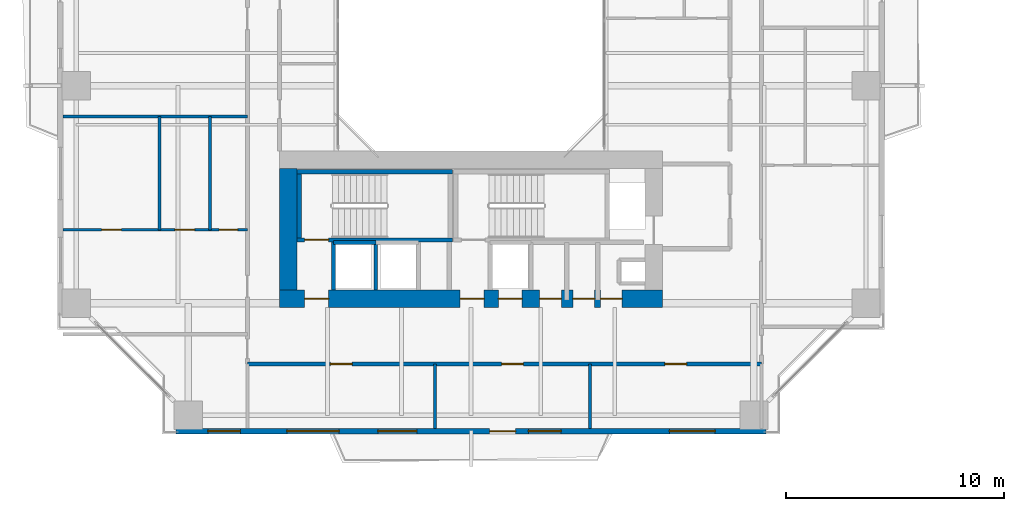
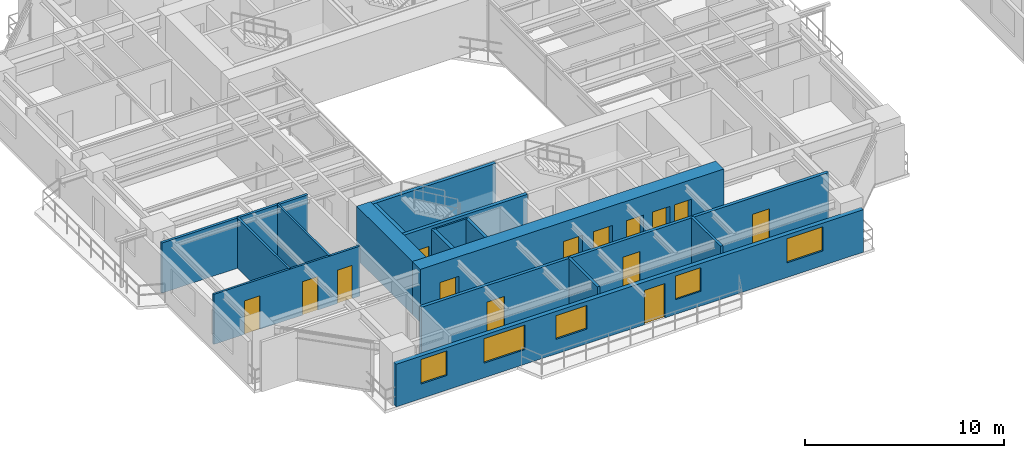
# One storey, part 13 of 23: 16 walls, 14 doors, 5 windows, 19 openings.
"""IFC4 building model written with IfcOpenShell, lengths in metres."""

from ifc_helpers import new_model, si_unit, direction, frame, frame_2d, origin, place, context, subcontext, project, spatial, rectangle, extrude, source, transform, mapped, material, layer, layer_set, type_object, element, fill, save


model = new_model("IFC4")

# Units and contexts
model_context = context("Model", 3, precision=1e-05, world=origin(), true_north=direction((0.0, 1.0)))
body_context = subcontext(model_context, "Body", "Model", "MODEL_VIEW")
ifc_project = project(units=[si_unit("LENGTHUNIT", "METRE"), si_unit("AREAUNIT", "SQUARE_METRE"), si_unit("VOLUMEUNIT", "CUBIC_METRE"), si_unit("PLANEANGLEUNIT", "RADIAN"), si_unit("MASSUNIT", "GRAM", prefix="KILO"), si_unit("THERMODYNAMICTEMPERATUREUNIT", "KELVIN"), si_unit("POWERUNIT", "WATT")], contexts=[model_context])

# Site, building, storey
site_placement = place(None, origin())
site = spatial("IfcSite", under=ifc_project, at=site_placement, CompositionType="ELEMENT")
building_placement = place(site_placement, origin())
building = spatial("IfcBuilding", under=site, at=building_placement, Name="Qiaomeng Ring Towers", CompositionType="ELEMENT")
storey_placement = place(building_placement, frame((0.0, 0.0, 86.0)))
storey = spatial("IfcBuildingStorey", under=building, at=storey_placement, Name="L24", CompositionType="ELEMENT", Elevation=86.0)

# Wall, openings, windows, door
ifc_material_1 = material(Name="Precast concrete C40", Category="concrete")
ifc_layer_1 = layer(ifc_material_1, 0.25, Name="Precast concrete C40")
ifc_layer_set_1 = layer_set([ifc_layer_1], Name="Precast concrete C40")
wall_type_1 = type_object("IfcWallType", Name="ARC-WL-EW1", PredefinedType="STANDARD", material=ifc_layer_set_1)
wall_1_placement = place(storey_placement, frame((5.449951171875, 4.125, 0.0), z_axis=(0.0, 0.0, 1.0), x_axis=(1.0, 0.0, 0.0)))
wall_1 = element("IfcWall", 1, at=wall_1_placement, inside=storey, type_object=wall_type_1, Name="L24 Tower 1 S Exterior Wall", PredefinedType="STANDARD", context=body_context, shape_type="SweptSolid", body=[
    extrude(rectangle(XDim=27.10009765625, YDim=0.25, at=frame_2d((13.550048828125, 0.0))), origin(), (0.0, 0.0, 1.0), 2.610107421875),
])
opening_1_placement = place(wall_1_placement, frame((14.39990234375, 0.0, 0.0)))
opening_1 = element("IfcOpeningElement", 2, at=opening_1_placement, cuts=wall_1, Name="Opening BD1", PredefinedType="OPENING", context=body_context, shape_type="SweptSolid", body=[
    extrude(rectangle(XDim=1.199951171875, YDim=2.10009765625, at=frame_2d((0.60009765625, 1.050048828125))), frame((0.0, 0.135009765625, 0.0), z_axis=(0.0, -1.0, 0.0), x_axis=(1.0, 0.0, 0.0)), (0.0, 0.0, 1.0), 0.27001953125),
])
opening_2_placement = place(wall_1_placement, frame((1.449951171875, 0.0, 0.89990234375)))
opening_2 = element("IfcOpeningElement", 3, at=opening_2_placement, cuts=wall_1, Name="Opening WN2", PredefinedType="OPENING", context=body_context, shape_type="SweptSolid", body=[
    extrude(rectangle(XDim=1.5, YDim=1.5, at=frame_2d((0.75, 0.75))), frame((0.0, 0.135009765625, 0.0), z_axis=(0.0, -1.0, 0.0), x_axis=(1.0, 0.0, 0.0)), (0.0, 0.0, 1.0), 0.27001953125),
])
opening_3_placement = place(wall_1_placement, frame((9.262939453125, 0.0, 0.89990234375)))
opening_3 = element("IfcOpeningElement", 4, at=opening_3_placement, cuts=wall_1, Name="Opening WN1", PredefinedType="OPENING", context=body_context, shape_type="SweptSolid", body=[
    extrude(rectangle(XDim=1.800048828125, YDim=1.449951171875, at=frame_2d((0.89990234375, 0.72509765625))), frame((0.0, 0.135009765625, 0.0), z_axis=(0.0, -1.0, 0.0), x_axis=(1.0, 0.0, 0.0)), (0.0, 0.0, 1.0), 0.27001953125),
])
opening_4_placement = place(wall_1_placement, frame((16.18798828125, 0.0, 0.89990234375)))
opening_4 = element("IfcOpeningElement", 5, at=opening_4_placement, cuts=wall_1, Name="Opening WN2", PredefinedType="OPENING", context=body_context, shape_type="SweptSolid", body=[
    extrude(rectangle(XDim=1.5, YDim=1.449951171875, at=frame_2d((0.75, 0.72509765625))), frame((0.0, 0.135009765625, 0.0), z_axis=(0.0, -1.0, 0.0), x_axis=(1.0, 0.0, 0.0)), (0.0, 0.0, 1.0), 0.27001953125),
])
opening_5_placement = place(wall_1_placement, frame((22.6630859375, 0.0, 0.89990234375)))
opening_5 = element("IfcOpeningElement", 6, at=opening_5_placement, cuts=wall_1, Name="Opening WN4", PredefinedType="OPENING", context=body_context, shape_type="SweptSolid", body=[
    extrude(rectangle(XDim=2.10009765625, YDim=1.47998046875, at=frame_2d((1.050048828125, 0.739990234375))), frame((0.0, 0.135009765625, 0.0), z_axis=(0.0, -1.0, 0.0), x_axis=(1.0, 0.0, 0.0)), (0.0, 0.0, 1.0), 0.27001953125),
])
opening_6_placement = place(wall_1_placement, frame((5.083984375, 0.0, 0.89990234375)))
opening_6 = element("IfcOpeningElement", 7, at=opening_6_placement, cuts=wall_1, Name="Opening WN6", PredefinedType="OPENING", context=body_context, shape_type="SweptSolid", body=[
    extrude(rectangle(XDim=2.39990234375, YDim=1.5, at=frame_2d((1.199951171875, 0.75))), frame((0.0, 0.135009765625, 0.0), z_axis=(0.0, -1.0, 0.0), x_axis=(1.0, 0.0, 0.0)), (0.0, 0.0, 1.0), 0.27001953125),
])
ifc_material_2 = material(Name="Low-E dark-grey laminated double glazing", Category="glass")
window_type_1 = type_object("IfcWindowType", Name="ARC-WN-2", PartitioningType="DOUBLE_PANEL_VERTICAL", PredefinedType="WINDOW", material=ifc_material_2)
shared_shape_1 = source(origin(), body_context, "Body", "SweptSolid", [
    extrude(rectangle(XDim=1.5, YDim=1.449951171875, at=frame_2d((0.75, 0.72509765625))), frame((0.0, 0.030029296875, 0.0), z_axis=(0.0, -1.0, 0.0), x_axis=(1.0, 0.0, 0.0)), (0.0, 0.0, 1.0), 0.06005859375),
])
window_1_placement = place(opening_4_placement, origin())
window_1 = element("IfcWindow", 8, at=window_1_placement, inside=storey, type_object=window_type_1, Name="L24 Exterior Window WN2", OverallHeight=1.449951171875, OverallWidth=1.5, PartitioningType="DOUBLE_PANEL_VERTICAL", PredefinedType="WINDOW", context=body_context, shape_type="MappedRepresentation", body=[
    mapped(shared_shape_1, transform((0.0, 0.0, 0.0), x_axis=(1.0, 0.0, 0.0), y_axis=(0.0, 1.0, 0.0), z_axis=(0.0, 0.0, 1.0), scale=1.0)),
])
fill(opening_4, window_1)
window_type_2 = type_object("IfcWindowType", Name="ARC-WN-4", PartitioningType="TRIPLE_PANEL_VERTICAL", PredefinedType="WINDOW", material=ifc_material_2)
shared_shape_2 = source(origin(), body_context, "Body", "SweptSolid", [
    extrude(rectangle(XDim=2.10009765625, YDim=1.47998046875, at=frame_2d((1.050048828125, 0.739990234375))), frame((0.0, 0.030029296875, 0.0), z_axis=(0.0, -1.0, 0.0), x_axis=(1.0, 0.0, 0.0)), (0.0, 0.0, 1.0), 0.06005859375),
])
window_2_placement = place(opening_5_placement, origin())
window_2 = element("IfcWindow", 9, at=window_2_placement, inside=storey, type_object=window_type_2, Name="L24 Exterior Window WN4", OverallHeight=1.47998046875, OverallWidth=2.10009765625, PartitioningType="TRIPLE_PANEL_VERTICAL", PredefinedType="WINDOW", context=body_context, shape_type="MappedRepresentation", body=[
    mapped(shared_shape_2, transform((0.0, 0.0, 0.0), x_axis=(1.0, 0.0, 0.0), y_axis=(0.0, 1.0, 0.0), z_axis=(0.0, 0.0, 1.0), scale=1.0)),
])
fill(opening_5, window_2)
window_type_3 = type_object("IfcWindowType", Name="ARC-WN-1", PartitioningType="DOUBLE_PANEL_VERTICAL", PredefinedType="WINDOW", material=ifc_material_2)
shared_shape_3 = source(origin(), body_context, "Body", "SweptSolid", [
    extrude(rectangle(XDim=1.800048828125, YDim=1.449951171875, at=frame_2d((0.89990234375, 0.72509765625))), frame((0.0, 0.030029296875, 0.0), z_axis=(0.0, -1.0, 0.0), x_axis=(1.0, 0.0, 0.0)), (0.0, 0.0, 1.0), 0.06005859375),
])
window_3_placement = place(opening_3_placement, origin())
window_3 = element("IfcWindow", 10, at=window_3_placement, inside=storey, type_object=window_type_3, Name="L24 Exterior Window WN1", OverallHeight=1.449951171875, OverallWidth=1.800048828125, PartitioningType="DOUBLE_PANEL_VERTICAL", PredefinedType="WINDOW", context=body_context, shape_type="MappedRepresentation", body=[
    mapped(shared_shape_3, transform((0.0, 0.0, 0.0), x_axis=(1.0, 0.0, 0.0), y_axis=(0.0, 1.0, 0.0), z_axis=(0.0, 0.0, 1.0), scale=1.0)),
])
fill(opening_3, window_3)
door_type_1 = type_object("IfcDoorType", Name="ARC-DR-BD1", OperationType="NOTDEFINED", PredefinedType="DOOR", material=ifc_material_2)
shared_shape_4 = source(origin(), body_context, "Body", "SweptSolid", [
    extrude(rectangle(XDim=1.199951171875, YDim=2.10009765625, at=frame_2d((0.60009765625, 1.050048828125))), frame((0.0, 0.02490234375, 0.0), z_axis=(0.0, -1.0, 0.0), x_axis=(1.0, 0.0, 0.0)), (0.0, 0.0, 1.0), 0.050048828125),
])
door_1_placement = place(opening_1_placement, frame((1.199951171875, 0.0, 0.0), z_axis=(0.0, 0.0, 1.0), x_axis=(-1.0, 0.0, 0.0)))
door_1 = element("IfcDoor", 11, at=door_1_placement, inside=storey, type_object=door_type_1, Name="L24 S Balcony Glazed Door", OperationType="SINGLE_SWING_LEFT", OverallHeight=2.10009765625, OverallWidth=1.199951171875, PredefinedType="DOOR", context=body_context, shape_type="MappedRepresentation", body=[
    mapped(shared_shape_4, transform((0.0, 0.0, 0.0), x_axis=(1.0, 0.0, 0.0), y_axis=(0.0, 1.0, 0.0), z_axis=(0.0, 0.0, 1.0), scale=1.0)),
])
fill(opening_1, door_1)
shared_shape_5 = source(origin(), body_context, "Body", "SweptSolid", [
    extrude(rectangle(XDim=1.5, YDim=1.5, at=frame_2d((0.75, 0.75))), frame((0.0, 0.030029296875, 0.0), z_axis=(0.0, -1.0, 0.0), x_axis=(1.0, 0.0, 0.0)), (0.0, 0.0, 1.0), 0.06005859375),
])
window_4_placement = place(opening_2_placement, origin())
window_4 = element("IfcWindow", 12, at=window_4_placement, inside=storey, type_object=window_type_1, Name="L24 Exterior Window WN6", OverallHeight=1.5, OverallWidth=1.5, PartitioningType="TRIPLE_PANEL_VERTICAL", PredefinedType="WINDOW", context=body_context, shape_type="MappedRepresentation", body=[
    mapped(shared_shape_5, transform((0.0, 0.0, 0.0), x_axis=(1.0, 0.0, 0.0), y_axis=(0.0, 1.0, 0.0), z_axis=(0.0, 0.0, 1.0), scale=1.0)),
])
fill(opening_2, window_4)
window_type_4 = type_object("IfcWindowType", Name="ARC-WN-6", PartitioningType="TRIPLE_PANEL_VERTICAL", PredefinedType="WINDOW", material=ifc_material_2)
shared_shape_6 = source(origin(), body_context, "Body", "SweptSolid", [
    extrude(rectangle(XDim=2.39990234375, YDim=1.5, at=frame_2d((1.199951171875, 0.75))), frame((0.0, 0.030029296875, 0.0), z_axis=(0.0, -1.0, 0.0), x_axis=(1.0, 0.0, 0.0)), (0.0, 0.0, 1.0), 0.06005859375),
])
window_5_placement = place(opening_6_placement, origin())
window_5 = element("IfcWindow", 13, at=window_5_placement, inside=storey, type_object=window_type_4, Name="L24 Exterior Window WN6", OverallHeight=1.5, OverallWidth=2.39990234375, PartitioningType="TRIPLE_PANEL_VERTICAL", PredefinedType="WINDOW", context=body_context, shape_type="MappedRepresentation", body=[
    mapped(shared_shape_6, transform((0.0, 0.0, 0.0), x_axis=(1.0, 0.0, 0.0), y_axis=(0.0, 1.0, 0.0), z_axis=(0.0, 0.0, 1.0), scale=1.0)),
])
fill(opening_6, window_5)

# Wall
ifc_material_3 = material(Name="Autoclaved aerated concrete block", Category="concrete")
ifc_layer_2 = layer(ifc_material_3, 0.199951171875, Name="Autoclaved aerated concrete block")
ifc_layer_set_2 = layer_set([ifc_layer_2], Name="Autoclaved aerated concrete block")
wall_type_2 = type_object("IfcWallType", Name="ARC-WL-PW1", PredefinedType="PARTITIONING", material=ifc_layer_set_2)
wall_2_placement = place(storey_placement, frame((12.679931640625, 10.60009765625, 0.0), z_axis=(0.0, 0.0, 1.0), x_axis=(0.0, 1.0, 0.0)))
element("IfcWall", 14, at=wall_2_placement, inside=storey, type_object=wall_type_2, Name="L24 Interior Wall PW1", PredefinedType="PARTITIONING", context=body_context, shape_type="SweptSolid", body=[
    extrude(rectangle(XDim=2.2099609375, YDim=0.199951171875, at=frame_2d((1.10498046875, 0.0))), origin(), (0.0, 0.0, 1.0), 3.070068359375),
])

# Wall, openings, doors
ifc_layer_3 = layer(ifc_material_3, 0.179931640625, Name="Autoclaved aerated concrete block")
ifc_layer_set_3 = layer_set([ifc_layer_3], Name="Autoclaved aerated concrete block")
wall_type_3 = type_object("IfcWallType", Name="ARC-WL-PW2", PredefinedType="PARTITIONING", material=ifc_layer_set_3)
wall_3_placement = place(storey_placement, frame((8.719970703125, 7.2099609375, 0.0), z_axis=(0.0, 0.0, 1.0), x_axis=(1.0, 0.0, 0.0)))
wall_3 = element("IfcWall", 15, at=wall_3_placement, inside=storey, type_object=wall_type_3, Name="L24 Interior Wall PW2", PredefinedType="PARTITIONING", context=body_context, shape_type="SweptSolid", body=[
    extrude(rectangle(XDim=23.630126953125, YDim=0.179931640625, at=frame_2d((11.81494140625, 0.0))), origin(), (0.0, 0.0, 1.0), 3.070068359375),
])
opening_7_placement = place(wall_3_placement, frame((3.81005859375, 0.0, 0.0)))
opening_7 = element("IfcOpeningElement", 16, at=opening_7_placement, cuts=wall_3, Name="Opening FD4", PredefinedType="OPENING", context=body_context, shape_type="SweptSolid", body=[
    extrude(rectangle(XDim=1.0, YDim=2.050048828125, at=frame_2d((0.5, 1.02490234375))), frame((0.0, 0.099853515625, 0.0), z_axis=(0.0, -1.0, 0.0), x_axis=(1.0, 0.0, 0.0)), (0.0, 0.0, 1.0), 0.199951171875),
])
opening_8_placement = place(wall_3_placement, frame((11.68505859375, 0.0, 0.0)))
opening_8 = element("IfcOpeningElement", 17, at=opening_8_placement, cuts=wall_3, Name="Opening FD4", PredefinedType="OPENING", context=body_context, shape_type="SweptSolid", body=[
    extrude(rectangle(XDim=1.0, YDim=2.050048828125, at=frame_2d((0.5, 1.02490234375))), frame((0.0, 0.099853515625, 0.0), z_axis=(0.0, -1.0, 0.0), x_axis=(1.0, 0.0, 0.0)), (0.0, 0.0, 1.0), 0.199951171875),
])
opening_9_placement = place(wall_3_placement, frame((19.18994140625, 0.0, 0.0)))
opening_9 = element("IfcOpeningElement", 18, at=opening_9_placement, cuts=wall_3, Name="Opening FD4", PredefinedType="OPENING", context=body_context, shape_type="SweptSolid", body=[
    extrude(rectangle(XDim=1.0, YDim=2.050048828125, at=frame_2d((0.5, 1.02490234375))), frame((0.0, 0.099853515625, 0.0), z_axis=(0.0, -1.0, 0.0), x_axis=(1.0, 0.0, 0.0)), (0.0, 0.0, 1.0), 0.199951171875),
])
ifc_material_4 = material(Name="Engineered fire-rated oak timber", Category="wood")
door_type_2 = type_object("IfcDoorType", Name="ARC-DR-FD4", OperationType="NOTDEFINED", PredefinedType="DOOR", material=ifc_material_4)
shared_shape_7 = source(origin(), body_context, "Body", "SweptSolid", [
    extrude(rectangle(XDim=1.0, YDim=2.050048828125, at=frame_2d((0.5, 1.02490234375))), frame((0.0, 0.02490234375, 0.0), z_axis=(0.0, -1.0, 0.0), x_axis=(1.0, 0.0, 0.0)), (0.0, 0.0, 1.0), 0.050048828125),
])
door_2_placement = place(opening_7_placement, origin())
door_2 = element("IfcDoor", 19, at=door_2_placement, inside=storey, type_object=door_type_2, Name="L24 Door FD4", OperationType="SINGLE_SWING_LEFT", OverallHeight=2.050048828125, OverallWidth=1.0, PredefinedType="DOOR", context=body_context, shape_type="MappedRepresentation", body=[
    mapped(shared_shape_7, transform((0.0, 0.0, 0.0), x_axis=(1.0, 0.0, 0.0), y_axis=(0.0, 1.0, 0.0), z_axis=(0.0, 0.0, 1.0), scale=1.0)),
])
fill(opening_7, door_2)
door_3_placement = place(opening_8_placement, origin())
door_3 = element("IfcDoor", 20, at=door_3_placement, inside=storey, type_object=door_type_2, Name="L24 Door FD4", OperationType="SINGLE_SWING_RIGHT", OverallHeight=2.050048828125, OverallWidth=1.0, PredefinedType="DOOR", context=body_context, shape_type="MappedRepresentation", body=[
    mapped(shared_shape_7, transform((0.0, 0.0, 0.0), x_axis=(1.0, 0.0, 0.0), y_axis=(0.0, 1.0, 0.0), z_axis=(0.0, 0.0, 1.0), scale=1.0)),
])
fill(opening_8, door_3)
door_4_placement = place(opening_9_placement, origin())
door_4 = element("IfcDoor", 21, at=door_4_placement, inside=storey, type_object=door_type_2, Name="L24 Door FD4", OperationType="SINGLE_SWING_LEFT", OverallHeight=2.050048828125, OverallWidth=1.0, PredefinedType="DOOR", context=body_context, shape_type="MappedRepresentation", body=[
    mapped(shared_shape_7, transform((0.0, 0.0, 0.0), x_axis=(1.0, 0.0, 0.0), y_axis=(0.0, 1.0, 0.0), z_axis=(0.0, 0.0, 1.0), scale=1.0)),
])
fill(opening_9, door_4)

# Walls
ifc_material_5 = material(Name="Gypsum fireboard steel-stud partition", Category="steel")
ifc_layer_4 = layer(ifc_material_5, 0.14990234375, Name="Gypsum fireboard steel-stud partition")
ifc_layer_set_4 = layer_set([ifc_layer_4], Name="Gypsum fireboard steel-stud partition")
wall_type_4 = type_object("IfcWallType", Name="ARC-WL-PW3", PredefinedType="PARTITIONING", material=ifc_layer_set_4)
for number, where, z_axis, x_axis, name in (
    (22, (17.340087890625, 4.25, 0.0), (0.0, 0.0, 1.0), (0.0, 1.0, 0.0), "L24 Interior Wall PW3"),
    (23, (24.469970703125, 4.25, 0.0), (0.0, 0.0, 1.0), (0.0, 1.0, 0.0), "L24 Interior Wall PW3"),
):
    element("IfcWall", number, at=place(storey_placement, frame(where, z_axis=z_axis, x_axis=x_axis)), inside=storey, type_object=wall_type_4, Name=name, PredefinedType="PARTITIONING", context=body_context, shape_type="SweptSolid", body=[
        extrude(rectangle(XDim=2.9599609375, YDim=0.14990234375, at=frame_2d((1.47998046875, 0.0))), origin(), (0.0, 0.0, 1.0), 3.070068359375),
    ])
wall_4_placement = place(storey_placement, frame((0.25, 18.580078125, 0.0), z_axis=(0.0, 0.0, 1.0), x_axis=(1.0, 0.0, 0.0)))
element("IfcWall", 24, at=wall_4_placement, inside=storey, type_object=wall_type_4, Name="L24 Interior Wall PW3", PredefinedType="PARTITIONING", context=body_context, shape_type="SweptSolid", body=[
    extrude(rectangle(XDim=8.469970703125, YDim=0.14990234375, at=frame_2d((4.23486328125, 0.0))), origin(), (0.0, 0.0, 1.0), 3.070068359375),
])

# Wall, openings, doors
ifc_material_6 = material(Name="Moisture-resistant gypsum steel-stud partition", Category="steel")
ifc_layer_5 = layer(ifc_material_6, 0.1201171875, Name="Moisture-resistant gypsum steel-stud partition")
ifc_layer_set_5 = layer_set([ifc_layer_5], Name="Moisture-resistant gypsum steel-stud partition")
wall_type_5 = type_object("IfcWallType", Name="ARC-WL-PW4", PredefinedType="PLUMBINGWALL", material=ifc_layer_set_5)
wall_5_placement = place(storey_placement, frame((0.25, 13.3701171875, 0.0), z_axis=(0.0, 0.0, 1.0), x_axis=(1.0, 0.0, 0.0)))
wall_5 = element("IfcWall", 25, at=wall_5_placement, inside=storey, type_object=wall_type_5, Name="L24 Interior Wall PW4", PredefinedType="PLUMBINGWALL", context=body_context, shape_type="SweptSolid", body=[
    extrude(rectangle(XDim=8.469970703125, YDim=0.1201171875, at=frame_2d((4.23486328125, 0.0))), origin(), (0.0, 0.0, 1.0), 3.070068359375),
])
opening_10_placement = place(wall_5_placement, frame((1.77490234375, 0.0, 0.0)))
opening_10 = element("IfcOpeningElement", 26, at=opening_10_placement, cuts=wall_5, Name="Opening ID1", PredefinedType="OPENING", context=body_context, shape_type="SweptSolid", body=[
    extrude(rectangle(XDim=0.89990234375, YDim=2.050048828125, at=frame_2d((0.449951171875, 1.02490234375))), frame((0.0, 0.070068359375, 0.0), z_axis=(0.0, -1.0, 0.0), x_axis=(1.0, 0.0, 0.0)), (0.0, 0.0, 1.0), 0.14013671875),
])
opening_11_placement = place(wall_5_placement, frame((5.139892578125, 0.0, 0.0)))
opening_11 = element("IfcOpeningElement", 27, at=opening_11_placement, cuts=wall_5, Name="Opening ID1", PredefinedType="OPENING", context=body_context, shape_type="SweptSolid", body=[
    extrude(rectangle(XDim=0.89990234375, YDim=2.050048828125, at=frame_2d((0.449951171875, 1.02490234375))), frame((0.0, 0.070068359375, 0.0), z_axis=(0.0, -1.0, 0.0), x_axis=(1.0, 0.0, 0.0)), (0.0, 0.0, 1.0), 0.14013671875),
])
opening_12_placement = place(wall_5_placement, frame((7.175048828125, 0.0, 0.0)))
opening_12 = element("IfcOpeningElement", 28, at=opening_12_placement, cuts=wall_5, Name="Opening ID2", PredefinedType="OPENING", context=body_context, shape_type="SweptSolid", body=[
    extrude(rectangle(XDim=0.85009765625, YDim=2.050048828125, at=frame_2d((0.425048828125, 1.02490234375))), frame((0.0, 0.070068359375, 0.0), z_axis=(0.0, -1.0, 0.0), x_axis=(1.0, 0.0, 0.0)), (0.0, 0.0, 1.0), 0.14013671875),
])
ifc_material_7 = material(Name="Moisture-resistant engineered timber", Category="wood")
door_type_3 = type_object("IfcDoorType", Name="ARC-DR-ID2", OperationType="NOTDEFINED", PredefinedType="DOOR", material=ifc_material_7)
shared_shape_8 = source(origin(), body_context, "Body", "SweptSolid", [
    extrude(rectangle(XDim=0.85009765625, YDim=2.050048828125, at=frame_2d((0.425048828125, 1.02490234375))), frame((0.0, 0.02490234375, 0.0), z_axis=(0.0, -1.0, 0.0), x_axis=(1.0, 0.0, 0.0)), (0.0, 0.0, 1.0), 0.050048828125),
])
door_5_placement = place(opening_12_placement, origin())
door_5 = element("IfcDoor", 29, at=door_5_placement, inside=storey, type_object=door_type_3, Name="L24 Door ID2", OperationType="SINGLE_SWING_RIGHT", OverallHeight=2.050048828125, OverallWidth=0.85009765625, PredefinedType="DOOR", context=body_context, shape_type="MappedRepresentation", body=[
    mapped(shared_shape_8, transform((0.0, 0.0, 0.0), x_axis=(1.0, 0.0, 0.0), y_axis=(0.0, 1.0, 0.0), z_axis=(0.0, 0.0, 1.0), scale=1.0)),
])
fill(opening_12, door_5)
ifc_material_8 = material(Name="Engineered oak timber", Category="wood")
door_type_4 = type_object("IfcDoorType", Name="ARC-DR-ID1", OperationType="NOTDEFINED", PredefinedType="DOOR", material=ifc_material_8)
shared_shape_9 = source(origin(), body_context, "Body", "SweptSolid", [
    extrude(rectangle(XDim=0.89990234375, YDim=2.050048828125, at=frame_2d((0.449951171875, 1.02490234375))), frame((0.0, 0.02490234375, 0.0), z_axis=(0.0, -1.0, 0.0), x_axis=(1.0, 0.0, 0.0)), (0.0, 0.0, 1.0), 0.050048828125),
])
door_6_placement = place(opening_10_placement, origin())
door_6 = element("IfcDoor", 30, at=door_6_placement, inside=storey, type_object=door_type_4, Name="L24 Door ID1", OperationType="SINGLE_SWING_RIGHT", OverallHeight=2.050048828125, OverallWidth=0.89990234375, PredefinedType="DOOR", context=body_context, shape_type="MappedRepresentation", body=[
    mapped(shared_shape_9, transform((0.0, 0.0, 0.0), x_axis=(1.0, 0.0, 0.0), y_axis=(0.0, 1.0, 0.0), z_axis=(0.0, 0.0, 1.0), scale=1.0)),
])
fill(opening_10, door_6)
door_7_placement = place(opening_11_placement, origin())
door_7 = element("IfcDoor", 31, at=door_7_placement, inside=storey, type_object=door_type_4, Name="L24 Door ID1", OperationType="SINGLE_SWING_LEFT", OverallHeight=2.050048828125, OverallWidth=0.89990234375, PredefinedType="DOOR", context=body_context, shape_type="MappedRepresentation", body=[
    mapped(shared_shape_9, transform((0.0, 0.0, 0.0), x_axis=(1.0, 0.0, 0.0), y_axis=(0.0, 1.0, 0.0), z_axis=(0.0, 0.0, 1.0), scale=1.0)),
])
fill(opening_11, door_7)

# Walls
for number, where, z_axis, x_axis, name in (
    (32, (4.679931640625, 13.3701171875, 0.0), (0.0, 0.0, 1.0), (0.0, 1.0, 0.0), "L24 Interior Wall PW4"),
    (33, (7.0, 13.3701171875, 0.0), (0.0, 0.0, 1.0), (0.0, 1.0, 0.0), "L24 Interior Wall PW4"),
):
    element("IfcWall", number, at=place(storey_placement, frame(where, z_axis=z_axis, x_axis=x_axis)), inside=storey, type_object=wall_type_5, Name=name, PredefinedType="PLUMBINGWALL", context=body_context, shape_type="SweptSolid", body=[
        extrude(rectangle(XDim=5.2099609375, YDim=0.1201171875, at=frame_2d((2.60498046875, 0.0))), origin(), (0.0, 0.0, 1.0), 3.070068359375),
    ])
ifc_material_9 = material(Name="Concrete C40", Category="concrete")
ifc_layer_6 = layer(ifc_material_9, 0.199951171875, Name="Concrete C40")
ifc_layer_set_6 = layer_set([ifc_layer_6], Name="Concrete C40")
wall_type_6 = type_object("IfcWallType", Name="STR-WL-STSHAFT", PredefinedType="SHEAR", material=ifc_layer_set_6)
wall_6_placement = place(storey_placement, frame((12.679931640625, 12.800048828125, 0.0), z_axis=(0.0, 0.0, 1.0), x_axis=(1.0, 0.0, 0.0)))
element("IfcWall", 34, at=wall_6_placement, inside=storey, type_object=wall_type_6, Name="L24 Lift LP6 Shaft Back Wall", PredefinedType="SHEAR", context=body_context, shape_type="SweptSolid", body=[
    extrude(rectangle(XDim=1.940185546875, YDim=0.179931640625, at=frame_2d((0.97021484375, 0.0))), origin(), (0.0, 0.0, 1.0), 3.070068359375),
])
wall_7_placement = place(storey_placement, frame((14.6201171875, 10.60009765625, 0.0), z_axis=(0.0, 0.0, 1.0), x_axis=(0.0, 1.0, 0.0)))
element("IfcWall", 35, at=wall_7_placement, inside=storey, type_object=wall_type_6, Name="L24 Lift LP6-LP4 Shaft Divider Wall", PredefinedType="SHEAR", context=body_context, shape_type="SweptSolid", body=[
    extrude(rectangle(XDim=2.199951171875, YDim=0.179931640625, at=frame_2d((1.10009765625, 0.0))), origin(), (0.0, 0.0, 1.0), 3.070068359375),
])

# Wall, opening, door
wall_8_placement = place(storey_placement, frame((11.0, 12.909912109375, 0.0), z_axis=(0.0, 0.0, 1.0), x_axis=(1.0, 0.0, 0.0)))
wall_8 = element("IfcWall", 36, at=wall_8_placement, inside=storey, type_object=wall_type_6, Name="L24 Stair ST3 South Shaft Shear Wall", PredefinedType="SHEAR", context=body_context, shape_type="SweptSolid", body=[
    extrude(rectangle(XDim=7.14990234375, YDim=0.199951171875, at=frame_2d((3.574951171875, 0.0))), origin(), (0.0, 0.0, 1.0), 3.25),
])
opening_13_placement = place(wall_8_placement, frame((0.35009765625, 0.0, 0.0)))
opening_13 = element("IfcOpeningElement", 37, at=opening_13_placement, cuts=wall_8, Name="Opening FD3", PredefinedType="OPENING", context=body_context, shape_type="SweptSolid", body=[
    extrude(rectangle(XDim=1.10009765625, YDim=2.050048828125, at=frame_2d((0.550048828125, 1.02490234375))), frame((0.0, 0.10986328125, 0.0), z_axis=(0.0, -1.0, 0.0), x_axis=(1.0, 0.0, 0.0)), (0.0, 0.0, 1.0), 0.219970703125),
])
ifc_material_10 = material(Name="Galvanised steel", Category="steel")
door_type_5 = type_object("IfcDoorType", Name="ARC-DR-FD3", OperationType="NOTDEFINED", PredefinedType="DOOR", material=ifc_material_10)
shared_shape_10 = source(origin(), body_context, "Body", "SweptSolid", [
    extrude(rectangle(XDim=1.10009765625, YDim=2.050048828125, at=frame_2d((0.550048828125, 1.02490234375))), frame((0.0, 0.02490234375, 0.0), z_axis=(0.0, -1.0, 0.0), x_axis=(1.0, 0.0, 0.0)), (0.0, 0.0, 1.0), 0.050048828125),
])
door_8_placement = place(opening_13_placement, frame((1.10009765625, 0.0, 0.0), z_axis=(0.0, 0.0, 1.0), x_axis=(-1.0, 0.0, 0.0)))
door_8 = element("IfcDoor", 38, at=door_8_placement, inside=storey, type_object=door_type_5, Name="L24 Stair ST3 Exit Door", OperationType="SINGLE_SWING_RIGHT", OverallHeight=2.050048828125, OverallWidth=1.10009765625, PredefinedType="DOOR", context=body_context, shape_type="MappedRepresentation", body=[
    mapped(shared_shape_10, transform((0.0, 0.0, 0.0), x_axis=(1.0, 0.0, 0.0), y_axis=(0.0, 1.0, 0.0), z_axis=(0.0, 0.0, 1.0), scale=1.0)),
])
fill(opening_13, door_8)

# Walls
wall_9_placement = place(storey_placement, frame((11.0, 16.050048828125, 0.0), z_axis=(0.0, 0.0, 1.0), x_axis=(1.0, 0.0, 0.0)))
element("IfcWall", 39, at=wall_9_placement, inside=storey, type_object=wall_type_6, Name="L24 Stair ST3 North Shaft Shear Wall", PredefinedType="SHEAR", context=body_context, shape_type="SweptSolid", body=[
    extrude(rectangle(XDim=7.14990234375, YDim=0.199951171875, at=frame_2d((3.574951171875, 0.0))), origin(), (0.0, 0.0, 1.0), 3.25),
])
wall_10_placement = place(storey_placement, frame((11.10009765625, 13.010009765625, 0.0), z_axis=(0.0, 0.0, 1.0), x_axis=(0.0, 1.0, 0.0)))
element("IfcWall", 40, at=wall_10_placement, inside=storey, type_object=wall_type_6, Name="L24 Stair ST3 West Shaft Shear Wall", PredefinedType="SHEAR", context=body_context, shape_type="SweptSolid", body=[
    extrude(rectangle(XDim=2.93994140625, YDim=0.199951171875, at=frame_2d((1.469970703125, 0.0))), origin(), (0.0, 0.0, 1.0), 3.25),
])

# Wall, openings, doors
ifc_material_11 = material(Name="Concrete C60", Category="concrete")
ifc_layer_7 = layer(ifc_material_11, 0.800048828125, Name="Concrete C60")
ifc_layer_set_7 = layer_set([ifc_layer_7], Name="Concrete C60")
wall_type_7 = type_object("IfcWallType", Name="STR-WL-SW1", PredefinedType="SHEAR", material=ifc_layer_set_7)
wall_11_placement = place(storey_placement, frame((10.199951171875, 10.199951171875, 0.0), z_axis=(0.0, 0.0, 1.0), x_axis=(1.0, 0.0, 0.0)))
wall_11 = element("IfcWall", 41, at=wall_11_placement, inside=storey, type_object=wall_type_7, Name="L24 T1SC south core shear wall", PredefinedType="SHEAR", context=body_context, shape_type="SweptSolid", body=[
    extrude(rectangle(XDim=17.60009765625, YDim=0.800048828125, at=frame_2d((8.800048828125, 0.0))), origin(), (0.0, 0.0, 1.0), 3.25),
])
opening_14_placement = place(wall_11_placement, frame((1.14990234375, 0.0, 0.0)))
opening_14 = element("IfcOpeningElement", 42, at=opening_14_placement, cuts=wall_11, Name="Opening FD3", PredefinedType="OPENING", context=body_context, shape_type="SweptSolid", body=[
    extrude(rectangle(XDim=1.10009765625, YDim=2.050048828125, at=frame_2d((0.550048828125, 1.02490234375))), frame((0.0, 0.409912109375, 0.0), z_axis=(0.0, -1.0, 0.0), x_axis=(1.0, 0.0, 0.0)), (0.0, 0.0, 1.0), 0.820068359375),
])
opening_15_placement = place(wall_11_placement, frame((8.300048828125, 0.0, 0.0)))
opening_15 = element("IfcOpeningElement", 43, at=opening_15_placement, cuts=wall_11, Name="Opening FD3", PredefinedType="OPENING", context=body_context, shape_type="SweptSolid", body=[
    extrude(rectangle(XDim=1.10009765625, YDim=2.050048828125, at=frame_2d((0.550048828125, 1.02490234375))), frame((0.0, 0.409912109375, 0.0), z_axis=(0.0, -1.0, 0.0), x_axis=(1.0, 0.0, 0.0)), (0.0, 0.0, 1.0), 0.820068359375),
])
opening_16_placement = place(wall_11_placement, frame((10.050048828125, 0.0, 0.0)))
opening_16 = element("IfcOpeningElement", 44, at=opening_16_placement, cuts=wall_11, Name="Opening LD1", PredefinedType="OPENING", context=body_context, shape_type="SweptSolid", body=[
    extrude(rectangle(XDim=1.10009765625, YDim=2.050048828125, at=frame_2d((0.550048828125, 1.02490234375))), frame((0.0, 0.409912109375, 0.0), z_axis=(0.0, -1.0, 0.0), x_axis=(1.0, 0.0, 0.0)), (0.0, 0.0, 1.0), 0.820068359375),
])
opening_17_placement = place(wall_11_placement, frame((14.739990234375, 0.0, 0.0)))
opening_17 = element("IfcOpeningElement", 45, at=opening_17_placement, cuts=wall_11, Name="Opening FD1", PredefinedType="OPENING", context=body_context, shape_type="SweptSolid", body=[
    extrude(rectangle(XDim=1.0, YDim=2.050048828125, at=frame_2d((0.5, 1.02490234375))), frame((0.0, 0.409912109375, 0.0), z_axis=(0.0, -1.0, 0.0), x_axis=(1.0, 0.0, 0.0)), (0.0, 0.0, 1.0), 0.820068359375),
])
opening_18_placement = place(wall_11_placement, frame((11.945068359375, 0.0, 0.0)))
opening_18 = element("IfcOpeningElement", 46, at=opening_18_placement, cuts=wall_11, Name="Opening FD1", PredefinedType="OPENING", context=body_context, shape_type="SweptSolid", body=[
    extrude(rectangle(XDim=1.0, YDim=2.050048828125, at=frame_2d((0.5, 1.02490234375))), frame((0.0, 0.409912109375, 0.0), z_axis=(0.0, -1.0, 0.0), x_axis=(1.0, 0.0, 0.0)), (0.0, 0.0, 1.0), 0.820068359375),
])
opening_19_placement = place(wall_11_placement, frame((13.47998046875, 0.0, 0.0)))
opening_19 = element("IfcOpeningElement", 47, at=opening_19_placement, cuts=wall_11, Name="Opening FD1", PredefinedType="OPENING", context=body_context, shape_type="SweptSolid", body=[
    extrude(rectangle(XDim=1.0, YDim=2.050048828125, at=frame_2d((0.5, 1.02490234375))), frame((0.0, 0.409912109375, 0.0), z_axis=(0.0, -1.0, 0.0), x_axis=(1.0, 0.0, 0.0)), (0.0, 0.0, 1.0), 0.820068359375),
])
door_9_placement = place(opening_14_placement, origin())
door_9 = element("IfcDoor", 48, at=door_9_placement, inside=storey, type_object=door_type_5, Name="L24 Stair ST3 Lobby Door", OperationType="SINGLE_SWING_LEFT", OverallHeight=2.050048828125, OverallWidth=1.10009765625, PredefinedType="DOOR", context=body_context, shape_type="MappedRepresentation", body=[
    mapped(shared_shape_10, transform((0.0, 0.0, 0.0), x_axis=(1.0, 0.0, 0.0), y_axis=(0.0, 1.0, 0.0), z_axis=(0.0, 0.0, 1.0), scale=1.0)),
])
fill(opening_14, door_9)
door_10_placement = place(opening_15_placement, origin())
door_10 = element("IfcDoor", 49, at=door_10_placement, inside=storey, type_object=door_type_5, Name="L24 Stair ST4 Lobby Door", OperationType="SINGLE_SWING_LEFT", OverallHeight=2.050048828125, OverallWidth=1.10009765625, PredefinedType="DOOR", context=body_context, shape_type="MappedRepresentation", body=[
    mapped(shared_shape_10, transform((0.0, 0.0, 0.0), x_axis=(1.0, 0.0, 0.0), y_axis=(0.0, 1.0, 0.0), z_axis=(0.0, 0.0, 1.0), scale=1.0)),
])
fill(opening_15, door_10)
ifc_material_12 = material(Name="Stainless steel 316", Category="steel")
door_type_6 = type_object("IfcDoorType", Name="ARC-DR-LD1", OperationType="NOTDEFINED", PredefinedType="DOOR", material=ifc_material_12)
door_11_placement = place(opening_16_placement, origin())
door_11 = element("IfcDoor", 50, at=door_11_placement, inside=storey, type_object=door_type_6, Name="L24 Low-Zone Lift LP2 Landing Door", OperationType="SLIDING_TO_RIGHT", OverallHeight=2.050048828125, OverallWidth=1.10009765625, PredefinedType="DOOR", context=body_context, shape_type="MappedRepresentation", body=[
    mapped(shared_shape_10, transform((0.0, 0.0, 0.0), x_axis=(1.0, 0.0, 0.0), y_axis=(0.0, 1.0, 0.0), z_axis=(0.0, 0.0, 1.0), scale=1.0)),
])
fill(opening_16, door_11)
door_type_7 = type_object("IfcDoorType", Name="ARC-DR-FD1", OperationType="NOTDEFINED", PredefinedType="DOOR", material=ifc_material_10)
door_12_placement = place(opening_17_placement, origin())
door_12 = element("IfcDoor", 51, at=door_12_placement, inside=storey, type_object=door_type_7, Name="L24 South Electrical Riser Door", OperationType="SINGLE_SWING_RIGHT", OverallHeight=2.050048828125, OverallWidth=1.0, PredefinedType="DOOR", context=body_context, shape_type="MappedRepresentation", body=[
    mapped(shared_shape_7, transform((0.0, 0.0, 0.0), x_axis=(1.0, 0.0, 0.0), y_axis=(0.0, 1.0, 0.0), z_axis=(0.0, 0.0, 1.0), scale=1.0)),
])
fill(opening_17, door_12)
door_13_placement = place(opening_18_placement, origin())
door_13 = element("IfcDoor", 52, at=door_13_placement, inside=storey, type_object=door_type_7, Name="L24 South Beverage Pantry Door", OperationType="SINGLE_SWING_RIGHT", OverallHeight=2.050048828125, OverallWidth=1.0, PredefinedType="DOOR", context=body_context, shape_type="MappedRepresentation", body=[
    mapped(shared_shape_7, transform((0.0, 0.0, 0.0), x_axis=(1.0, 0.0, 0.0), y_axis=(0.0, 1.0, 0.0), z_axis=(0.0, 0.0, 1.0), scale=1.0)),
])
fill(opening_18, door_13)
door_14_placement = place(opening_19_placement, origin())
door_14 = element("IfcDoor", 53, at=door_14_placement, inside=storey, type_object=door_type_7, Name="L24 South Linen Store Door", OperationType="SINGLE_SWING_LEFT", OverallHeight=2.050048828125, OverallWidth=1.0, PredefinedType="DOOR", context=body_context, shape_type="MappedRepresentation", body=[
    mapped(shared_shape_7, transform((0.0, 0.0, 0.0), x_axis=(1.0, 0.0, 0.0), y_axis=(0.0, 1.0, 0.0), z_axis=(0.0, 0.0, 1.0), scale=1.0)),
])
fill(opening_19, door_14)

# Wall
wall_12_placement = place(storey_placement, frame((10.60009765625, 10.60009765625, 0.0), z_axis=(0.0, 0.0, 1.0), x_axis=(0.0, 1.0, 0.0)))
element("IfcWall", 54, at=wall_12_placement, inside=storey, type_object=wall_type_7, Name="L24 T1SC west core shear wall", PredefinedType="SHEAR", context=body_context, shape_type="SweptSolid", body=[
    extrude(rectangle(XDim=5.599853515625, YDim=0.800048828125, at=frame_2d((2.7998046875, 0.0))), origin(), (0.0, 0.0, 1.0), 3.25),
])

save(model, "model.ifc")
